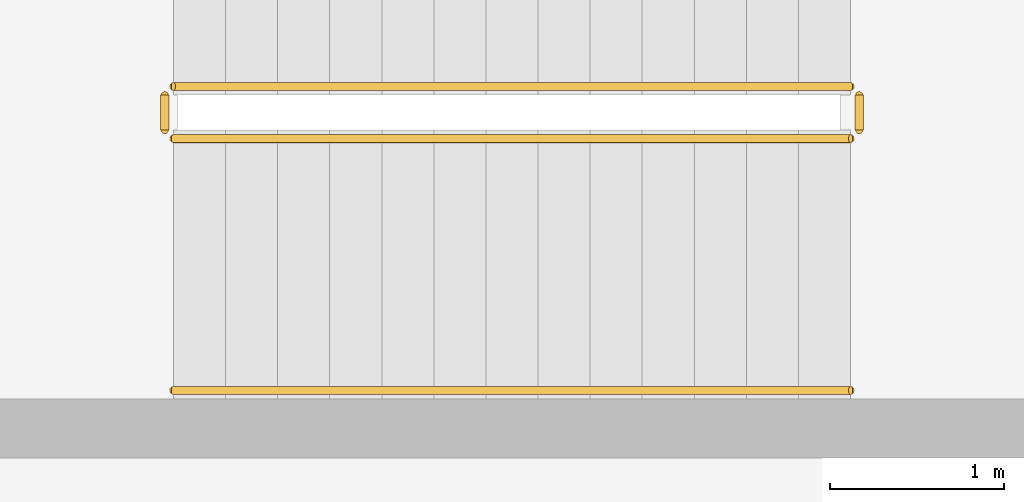
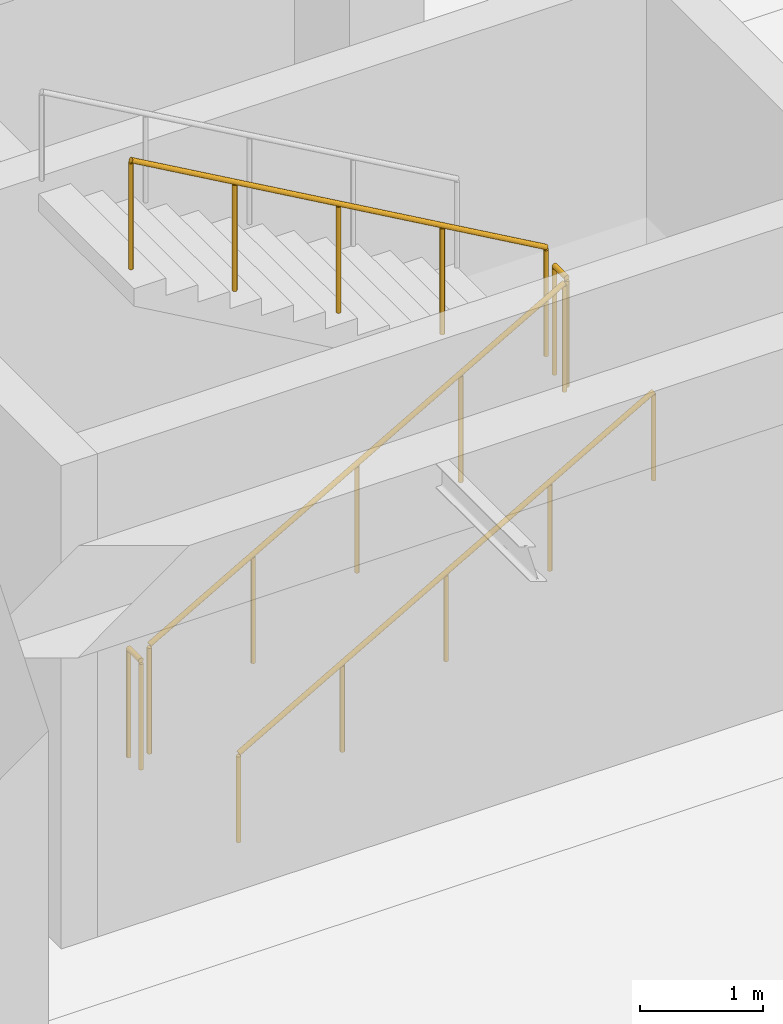
# One storey, part 59 of 72: 5 railings.
"""IFC4 building model written with IfcOpenShell, lengths in metres."""

from ifc_helpers import new_model, si_unit, direction, frame, origin, origin_2d, place, context, subcontext, project, spatial, circle, extrude, material, type_object, element, save


model = new_model("IFC4")

# Units and contexts
model_context = context("Model", 3, precision=1e-05, world=origin(), true_north=direction((0.0, 1.0)))
body_context = subcontext(model_context, "Body", "Model", "MODEL_VIEW")
ifc_project = project(units=[si_unit("LENGTHUNIT", "METRE"), si_unit("AREAUNIT", "SQUARE_METRE"), si_unit("VOLUMEUNIT", "CUBIC_METRE"), si_unit("PLANEANGLEUNIT", "RADIAN"), si_unit("MASSUNIT", "GRAM", prefix="KILO")], contexts=[model_context])

# Site, building, storey
site_placement = place(None, origin())
site = spatial("IfcSite", under=ifc_project, at=site_placement, CompositionType="ELEMENT")
building_placement = place(site_placement, origin())
building = spatial("IfcBuilding", under=site, at=building_placement, Name="Korsvaeld Concert Hall", CompositionType="ELEMENT")
storey_placement = place(building_placement, origin())
storey = spatial("IfcBuildingStorey", under=building, at=storey_placement, Name="L00", CompositionType="ELEMENT", Elevation=0.0)

# Railings
ifc_material_1 = material(Name="Powder-coated steel and bronze stair guardrail", Category="steel")
railing_type_1 = type_object("IfcRailingType", Name="RL-STAIR-GUARD-120", PredefinedType="GUARDRAIL", material=ifc_material_1)
railing_1_placement = place(storey_placement, frame((53.52001953125, 45.8701171875, 0.17138671875)))
element("IfcRailing", 1, at=railing_1_placement, inside=storey, type_object=railing_type_1, Name="L00 ST-K3 stair guard 1", PredefinedType="GUARDRAIL", context=body_context, shape_type="SweptSolid", body=[
    extrude(circle(Radius=0.02392578125, at=origin_2d()), frame((0.0, 0.0, 1.076171875), z_axis=(0.868243142124, 0.0, 0.496138938357), x_axis=(0.0, 1.0, 0.0)), (0.0, 0.0, 1.0), 4.49169921875),
    extrude(circle(Radius=0.02099609375, at=origin_2d()), origin(), (0.0, 0.0, 1.0), 1.052001953125),
    extrude(circle(Radius=0.02099609375, at=origin_2d()), frame((0.97509765625, 0.0, 0.55712890625)), (0.0, 0.0, 1.0), 1.052001953125),
    extrude(circle(Radius=0.02099609375, at=origin_2d()), frame((1.949951171875, 0.0, 1.1142578125)), (0.0, 0.0, 1.0), 1.052001953125),
    extrude(circle(Radius=0.02099609375, at=origin_2d()), frame((2.9248046875, 0.0, 1.67138671875)), (0.0, 0.0, 1.0), 1.052001953125),
    extrude(circle(Radius=0.02099609375, at=origin_2d()), frame((3.89990234375, 0.0, 2.228515625)), (0.0, 0.0, 1.0), 1.052001953125),
])
railing_2_placement = place(storey_placement, frame((57.469970703125, 45.919921875, 2.39990234375)))
element("IfcRailing", 2, at=railing_2_placement, inside=storey, type_object=railing_type_1, Name="L00 ST-K3 stair guard 2", PredefinedType="GUARDRAIL", context=body_context, shape_type="SweptSolid", body=[
    extrude(circle(Radius=0.02392578125, at=origin_2d()), frame((0.0, 0.0, 1.076171875), z_axis=(0.0, 1.0, 0.0), x_axis=(-1.0, 0.0, 0.0)), (0.0, 0.0, 1.0), 0.2001953125),
    extrude(circle(Radius=0.02099609375, at=origin_2d()), origin(), (0.0, 0.0, 1.0), 1.052001953125),
    extrude(circle(Radius=0.02099609375, at=origin_2d()), frame((0.0, 0.2001953125, 0.0)), (0.0, 0.0, 1.0), 1.052001953125),
])
railing_3_placement = place(storey_placement, frame((57.419921875, 46.169921875, 2.571533203125)))
element("IfcRailing", 3, at=railing_3_placement, inside=storey, type_object=railing_type_1, Name="L00 ST-K3 stair guard 3", PredefinedType="GUARDRAIL", context=body_context, shape_type="SweptSolid", body=[
    extrude(circle(Radius=0.02392578125, at=origin_2d()), frame((0.0, 0.0, 1.076171875), z_axis=(-0.868243142124, 0.0, 0.496138938357), x_axis=(0.0, -1.0, 0.0)), (0.0, 0.0, 1.0), 4.49169921875),
    extrude(circle(Radius=0.02099609375, at=origin_2d()), origin(), (0.0, 0.0, 1.0), 1.052001953125),
    extrude(circle(Radius=0.02099609375, at=origin_2d()), frame((-0.97509765625, 0.0, 0.55712890625)), (0.0, 0.0, 1.0), 1.052001953125),
    extrude(circle(Radius=0.02099609375, at=origin_2d()), frame((-1.949951171875, 0.0, 1.1142578125)), (0.0, 0.0, 1.0), 1.052001953125),
    extrude(circle(Radius=0.02099609375, at=origin_2d()), frame((-2.9248046875, 0.0, 1.67138671875)), (0.0, 0.0, 1.0), 1.052001953125),
    extrude(circle(Radius=0.02099609375, at=origin_2d()), frame((-3.89990234375, 0.0, 2.228515625)), (0.0, 0.0, 1.0), 1.052001953125),
])
railing_4_placement = place(storey_placement, frame((53.469970703125, 45.919921875, 0.0)))
element("IfcRailing", 4, at=railing_4_placement, inside=storey, type_object=railing_type_1, Name="L00 ST-K3 stair guard 4", PredefinedType="GUARDRAIL", context=body_context, shape_type="SweptSolid", body=[
    extrude(circle(Radius=0.02392578125, at=origin_2d()), frame((0.0, 0.0, 1.076171875), z_axis=(0.0, 1.0, 0.0), x_axis=(-1.0, 0.0, 0.0)), (0.0, 0.0, 1.0), 0.2001953125),
    extrude(circle(Radius=0.02099609375, at=origin_2d()), origin(), (0.0, 0.0, 1.0), 1.052001953125),
    extrude(circle(Radius=0.02099609375, at=origin_2d()), frame((0.0, 0.2001953125, 0.0)), (0.0, 0.0, 1.0), 1.052001953125),
])
ifc_material_2 = material(Name="European oak and bronze stair handrail")
railing_type_2 = type_object("IfcRailingType", Name="RL-STAIR-HAND-90", PredefinedType="HANDRAIL", material=ifc_material_2)
railing_5_placement = place(storey_placement, frame((53.52001953125, 44.419921875, 0.17138671875)))
element("IfcRailing", 5, at=railing_5_placement, inside=storey, type_object=railing_type_2, Name="L00 ST-K3 stair handrail 1", PredefinedType="HANDRAIL", context=body_context, shape_type="SweptSolid", body=[
    extrude(circle(Radius=0.02392578125, at=origin_2d()), frame((0.0, 0.0, 0.8759765625), z_axis=(0.868243142124, 0.0, 0.496138938357), x_axis=(0.0, 1.0, 0.0)), (0.0, 0.0, 1.0), 4.49169921875),
    extrude(circle(Radius=0.02099609375, at=origin_2d()), origin(), (0.0, 0.0, 1.0), 0.851806640625),
    extrude(circle(Radius=0.02099609375, at=origin_2d()), frame((0.97509765625, 0.0, 0.55712890625)), (0.0, 0.0, 1.0), 0.851806640625),
    extrude(circle(Radius=0.02099609375, at=origin_2d()), frame((1.949951171875, 0.0, 1.1142578125)), (0.0, 0.0, 1.0), 0.851806640625),
    extrude(circle(Radius=0.02099609375, at=origin_2d()), frame((2.9248046875, 0.0, 1.67138671875)), (0.0, 0.0, 1.0), 0.851806640625),
    extrude(circle(Radius=0.02099609375, at=origin_2d()), frame((3.89990234375, 0.0, 2.228515625)), (0.0, 0.0, 1.0), 0.851806640625),
])

save(model, "model.ifc")
